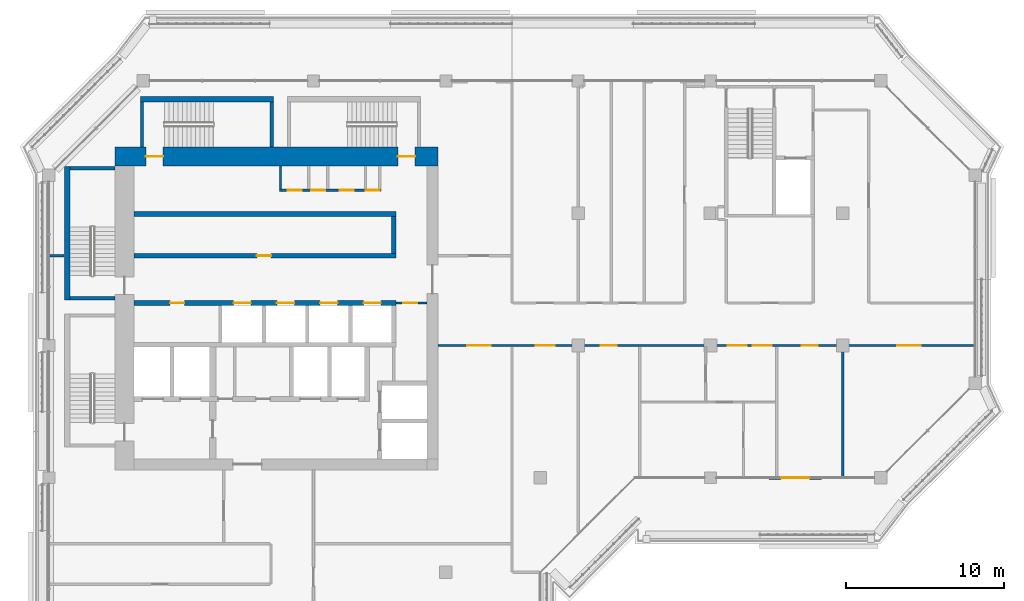
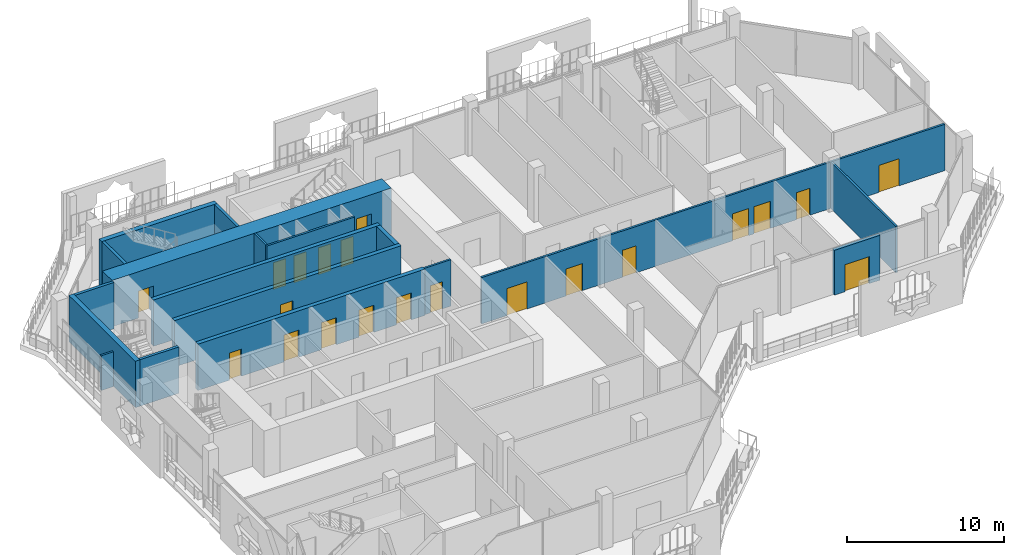
# One storey, part 12 of 22: 21 doors, 18 walls, 21 openings.
"""IFC4 building model written with IfcOpenShell, lengths in metres."""

from ifc_helpers import new_model, si_unit, direction, frame, frame_2d, origin, place, context, subcontext, project, spatial, rectangle, extrude, material, layer, layer_set, type_object, element, fill, save


model = new_model("IFC4")

# Units and contexts
model_context = context("Model", 3, precision=1e-05, world=origin(), true_north=direction((0.0, 1.0)))
body_context = subcontext(model_context, "Body", "Model", "MODEL_VIEW")
ifc_project = project(units=[si_unit("LENGTHUNIT", "METRE"), si_unit("AREAUNIT", "SQUARE_METRE"), si_unit("VOLUMEUNIT", "CUBIC_METRE"), si_unit("PLANEANGLEUNIT", "RADIAN"), si_unit("MASSUNIT", "GRAM", prefix="KILO")], contexts=[model_context])

# Site, building, storey
site_placement = place(None, origin())
site = spatial("IfcSite", under=ifc_project, at=site_placement, CompositionType="ELEMENT")
building_placement = place(site_placement, origin())
building = spatial("IfcBuilding", under=site, at=building_placement, Name="Kawkab Arch Medical Tower", CompositionType="ELEMENT")
storey_placement = place(building_placement, frame((0.0, 0.0, 298.60009765625)))
storey = spatial("IfcBuildingStorey", under=building, at=storey_placement, Name="L69", CompositionType="ELEMENT", Elevation=298.60009765625)

# Wall, openings, doors
ifc_material_1 = material(Name="Concrete C50/60", Category="concrete")
ifc_layer_1 = layer(ifc_material_1, 1.199951171875)
ifc_layer_set_1 = layer_set([ifc_layer_1], Name="Concrete C50/60")
wall_type_1 = type_object("IfcWallType", Name="Core ring wall 1200 C50/60", PredefinedType="SHEAR", material=ifc_layer_set_1)
wall_1_placement = place(storey_placement, frame((4.199951171875, -4.800048828125, 0.0), z_axis=(0.0, 0.0, 1.0), x_axis=(1.0, 0.0, 0.0)))
wall_1 = element("IfcWall", 1, at=wall_1_placement, inside=storey, type_object=wall_type_1, Name="L69 core wall", PredefinedType="SHEAR", context=body_context, shape_type="SweptSolid", body=[
    extrude(rectangle(XDim=20.5, YDim=1.199951171875, at=frame_2d((10.25, 0.0))), origin(), (0.0, 0.0, 1.0), 3.599853515625),
])
opening_1_placement = place(wall_1_placement, frame((1.949951171875, 0.0, 0.0)))
opening_1 = element("IfcOpeningElement", 2, at=opening_1_placement, cuts=wall_1, Name="Opening SD", PredefinedType="OPENING", context=body_context, shape_type="SweptSolid", body=[
    extrude(rectangle(XDim=1.10009765625, YDim=2.10009765625, at=frame_2d((0.550048828125, 1.050048828125))), frame((0.0, 0.60986328125, 0.0), z_axis=(0.0, -1.0, 0.0), x_axis=(1.0, 0.0, 0.0)), (0.0, 0.0, 1.0), 1.219970703125),
])
opening_2_placement = place(wall_1_placement, frame((17.949951171875, 0.0, 0.0)))
opening_2 = element("IfcOpeningElement", 3, at=opening_2_placement, cuts=wall_1, Name="Opening SD", PredefinedType="OPENING", context=body_context, shape_type="SweptSolid", body=[
    extrude(rectangle(XDim=1.10009765625, YDim=2.10009765625, at=frame_2d((0.550048828125, 1.050048828125))), frame((0.0, 0.60986328125, 0.0), z_axis=(0.0, -1.0, 0.0), x_axis=(1.0, 0.0, 0.0)), (0.0, 0.0, 1.0), 1.219970703125),
])
ifc_material_2 = material(Name="Hollow metal fire door leaf")
door_type_1 = type_object("IfcDoorType", Name="Exit stair door 1100", OperationType="SINGLE_SWING_LEFT", PredefinedType="DOOR", material=ifc_material_2)
door_1_placement = place(opening_1_placement, origin())
door_1 = element("IfcDoor", 4, at=door_1_placement, inside=storey, type_object=door_type_1, Name="L69 Exit stair ST3 door", OperationType="SINGLE_SWING_LEFT", OverallHeight=2.10009765625, OverallWidth=1.10009765625, PredefinedType="DOOR", context=body_context, shape_type="SweptSolid", body=[
    extrude(rectangle(XDim=1.10009765625, YDim=2.10009765625, at=frame_2d((0.550048828125, 1.050048828125))), frame((0.0, 0.02490234375, 0.0), z_axis=(0.0, -1.0, 0.0), x_axis=(1.0, 0.0, 0.0)), (0.0, 0.0, 1.0), 0.050048828125),
])
fill(opening_1, door_1)
door_2_placement = place(opening_2_placement, origin())
door_2 = element("IfcDoor", 5, at=door_2_placement, inside=storey, type_object=door_type_1, Name="L69 Exit stair ST4 door", OperationType="SINGLE_SWING_LEFT", OverallHeight=2.10009765625, OverallWidth=1.10009765625, PredefinedType="DOOR", context=body_context, shape_type="SweptSolid", body=[
    extrude(rectangle(XDim=1.10009765625, YDim=2.10009765625, at=frame_2d((0.550048828125, 1.050048828125))), frame((0.0, 0.02490234375, 0.0), z_axis=(0.0, -1.0, 0.0), x_axis=(1.0, 0.0, 0.0)), (0.0, 0.0, 1.0), 0.050048828125),
])
fill(opening_2, door_2)

# Wall, opening, door
ifc_material_3 = material(Name="Gypsum board on steel studs", Category="steel")
ifc_layer_2 = layer(ifc_material_3, 0.14990234375)
ifc_layer_set_2 = layer_set([ifc_layer_2], Name="Gypsum board on steel studs")
wall_type_2 = type_object("IfcWallType", Name="Core room partition 150", PredefinedType="PARTITIONING", material=ifc_layer_set_2)
wall_2_placement = place(storey_placement, frame((22.050048828125, -14.10009765625, 0.0), z_axis=(0.0, 0.0, 1.0), x_axis=(1.0, 0.0, 0.0)))
wall_2 = element("IfcWall", 6, at=wall_2_placement, inside=storey, type_object=wall_type_2, Name="L69 core room partition", PredefinedType="PARTITIONING", context=body_context, shape_type="SweptSolid", body=[
    extrude(rectangle(XDim=1.949951171875, YDim=0.14990234375, at=frame_2d((0.97509765625, 0.0))), origin(), (0.0, 0.0, 1.0), 3.599853515625),
])
opening_3_placement = place(wall_2_placement, frame((0.449951171875, 0.0, 0.0)))
opening_3 = element("IfcOpeningElement", 7, at=opening_3_placement, cuts=wall_2, Name="Opening RD", PredefinedType="OPENING", context=body_context, shape_type="SweptSolid", body=[
    extrude(rectangle(XDim=0.89990234375, YDim=2.10009765625, at=frame_2d((0.449951171875, 1.050048828125))), frame((0.0, 0.0849609375, 0.0), z_axis=(0.0, -1.0, 0.0), x_axis=(1.0, 0.0, 0.0)), (0.0, 0.0, 1.0), 0.169921875),
])
ifc_material_4 = material(Name="Hollow metal fire door leaf")
door_type_2 = type_object("IfcDoorType", Name="Core room door 900", OperationType="SINGLE_SWING_LEFT", PredefinedType="DOOR", material=ifc_material_4)
door_3_placement = place(opening_3_placement, origin())
door_3 = element("IfcDoor", 8, at=door_3_placement, inside=storey, type_object=door_type_2, Name="L69 Ward pantry door", OperationType="SINGLE_SWING_LEFT", OverallHeight=2.10009765625, OverallWidth=0.89990234375, PredefinedType="DOOR", context=body_context, shape_type="SweptSolid", body=[
    extrude(rectangle(XDim=0.89990234375, YDim=2.10009765625, at=frame_2d((0.449951171875, 1.050048828125))), frame((0.0, 0.02490234375, 0.0), z_axis=(0.0, -1.0, 0.0), x_axis=(1.0, 0.0, 0.0)), (0.0, 0.0, 1.0), 0.050048828125),
])
fill(opening_3, door_3)

# Wall, openings, doors
wall_3_placement = place(storey_placement, frame((14.625, -6.949951171875, 0.0), z_axis=(0.0, 0.0, 1.0), x_axis=(1.0, 0.0, 0.0)))
wall_3 = element("IfcWall", 9, at=wall_3_placement, inside=storey, type_object=wall_type_2, Name="L69 core room partition", PredefinedType="PARTITIONING", context=body_context, shape_type="SweptSolid", body=[
    extrude(rectangle(XDim=6.449951171875, YDim=0.14990234375, at=frame_2d((3.22509765625, 0.0))), origin(), (0.0, 0.0, 1.0), 3.599853515625),
])
opening_4_placement = place(wall_3_placement, frame((0.52490234375, 0.0, 0.0)))
opening_4 = element("IfcOpeningElement", 10, at=opening_4_placement, cuts=wall_3, Name="Opening RD", PredefinedType="OPENING", context=body_context, shape_type="SweptSolid", body=[
    extrude(rectangle(XDim=0.89990234375, YDim=2.10009765625, at=frame_2d((0.449951171875, 1.050048828125))), frame((0.0, 0.0849609375, 0.0), z_axis=(0.0, -1.0, 0.0), x_axis=(1.0, 0.0, 0.0)), (0.0, 0.0, 1.0), 0.169921875),
])
opening_5_placement = place(wall_3_placement, frame((2.02490234375, 0.0, 0.0)))
opening_5 = element("IfcOpeningElement", 11, at=opening_5_placement, cuts=wall_3, Name="Opening RD", PredefinedType="OPENING", context=body_context, shape_type="SweptSolid", body=[
    extrude(rectangle(XDim=0.89990234375, YDim=2.10009765625, at=frame_2d((0.449951171875, 1.050048828125))), frame((0.0, 0.0849609375, 0.0), z_axis=(0.0, -1.0, 0.0), x_axis=(1.0, 0.0, 0.0)), (0.0, 0.0, 1.0), 0.169921875),
])
opening_6_placement = place(wall_3_placement, frame((3.824951171875, 0.0, 0.0)))
opening_6 = element("IfcOpeningElement", 12, at=opening_6_placement, cuts=wall_3, Name="Opening RD", PredefinedType="OPENING", context=body_context, shape_type="SweptSolid", body=[
    extrude(rectangle(XDim=0.89990234375, YDim=2.10009765625, at=frame_2d((0.449951171875, 1.050048828125))), frame((0.0, 0.0849609375, 0.0), z_axis=(0.0, -1.0, 0.0), x_axis=(1.0, 0.0, 0.0)), (0.0, 0.0, 1.0), 0.169921875),
])
opening_7_placement = place(wall_3_placement, frame((5.47509765625, 0.0, 0.0)))
opening_7 = element("IfcOpeningElement", 13, at=opening_7_placement, cuts=wall_3, Name="Opening RD", PredefinedType="OPENING", context=body_context, shape_type="SweptSolid", body=[
    extrude(rectangle(XDim=0.89990234375, YDim=2.10009765625, at=frame_2d((0.449951171875, 1.050048828125))), frame((0.0, 0.0849609375, 0.0), z_axis=(0.0, -1.0, 0.0), x_axis=(1.0, 0.0, 0.0)), (0.0, 0.0, 1.0), 0.169921875),
])
door_4_placement = place(opening_4_placement, origin())
door_4 = element("IfcDoor", 14, at=door_4_placement, inside=storey, type_object=door_type_2, Name="L69 Data room door", OperationType="SINGLE_SWING_LEFT", OverallHeight=2.10009765625, OverallWidth=0.89990234375, PredefinedType="DOOR", context=body_context, shape_type="SweptSolid", body=[
    extrude(rectangle(XDim=0.89990234375, YDim=2.10009765625, at=frame_2d((0.449951171875, 1.050048828125))), frame((0.0, 0.02490234375, 0.0), z_axis=(0.0, -1.0, 0.0), x_axis=(1.0, 0.0, 0.0)), (0.0, 0.0, 1.0), 0.050048828125),
])
fill(opening_4, door_4)
door_5_placement = place(opening_5_placement, origin())
door_5 = element("IfcDoor", 15, at=door_5_placement, inside=storey, type_object=door_type_2, Name="L69 Electrical riser room door", OperationType="SINGLE_SWING_LEFT", OverallHeight=2.10009765625, OverallWidth=0.89990234375, PredefinedType="DOOR", context=body_context, shape_type="SweptSolid", body=[
    extrude(rectangle(XDim=0.89990234375, YDim=2.10009765625, at=frame_2d((0.449951171875, 1.050048828125))), frame((0.0, 0.02490234375, 0.0), z_axis=(0.0, -1.0, 0.0), x_axis=(1.0, 0.0, 0.0)), (0.0, 0.0, 1.0), 0.050048828125),
])
fill(opening_5, door_5)
door_6_placement = place(opening_6_placement, origin())
door_6 = element("IfcDoor", 16, at=door_6_placement, inside=storey, type_object=door_type_2, Name="L69 Equipment store door", OperationType="SINGLE_SWING_LEFT", OverallHeight=2.10009765625, OverallWidth=0.89990234375, PredefinedType="DOOR", context=body_context, shape_type="SweptSolid", body=[
    extrude(rectangle(XDim=0.89990234375, YDim=2.10009765625, at=frame_2d((0.449951171875, 1.050048828125))), frame((0.0, 0.02490234375, 0.0), z_axis=(0.0, -1.0, 0.0), x_axis=(1.0, 0.0, 0.0)), (0.0, 0.0, 1.0), 0.050048828125),
])
fill(opening_6, door_6)
door_7_placement = place(opening_7_placement, origin())
door_7 = element("IfcDoor", 17, at=door_7_placement, inside=storey, type_object=door_type_2, Name="L69 General store door", OperationType="SINGLE_SWING_LEFT", OverallHeight=2.10009765625, OverallWidth=0.89990234375, PredefinedType="DOOR", context=body_context, shape_type="SweptSolid", body=[
    extrude(rectangle(XDim=0.89990234375, YDim=2.10009765625, at=frame_2d((0.449951171875, 1.050048828125))), frame((0.0, 0.02490234375, 0.0), z_axis=(0.0, -1.0, 0.0), x_axis=(1.0, 0.0, 0.0)), (0.0, 0.0, 1.0), 0.050048828125),
])
fill(opening_7, door_7)

# Walls
wall_4_placement = place(storey_placement, frame((14.699951171875, -6.875, 0.0), z_axis=(0.0, 0.0, 1.0), x_axis=(0.0, 1.0, 0.0)))
element("IfcWall", 18, at=wall_4_placement, inside=storey, type_object=wall_type_2, Name="L69 core room partition", PredefinedType="PARTITIONING", context=body_context, shape_type="SweptSolid", body=[
    extrude(rectangle(XDim=1.47509765625, YDim=0.14990234375, at=frame_2d((0.737548828125, 0.0))), origin(), (0.0, 0.0, 1.0), 3.599853515625),
])
ifc_material_5 = material(Name="Concrete C60/75", Category="concrete")
ifc_layer_3 = layer(ifc_material_5, 0.300048828125)
ifc_layer_set_3 = layer_set([ifc_layer_3], Name="Concrete C60/75")
wall_type_3 = type_object("IfcWallType", Name="Core shear wall 300 C60/75", PredefinedType="SHEAR", material=ifc_layer_set_3)
wall_5_placement = place(storey_placement, frame((5.39990234375, -8.449951171875, 0.0), z_axis=(0.0, 0.0, 1.0), x_axis=(1.0, 0.0, 0.0)))
element("IfcWall", 19, at=wall_5_placement, inside=storey, type_object=wall_type_3, Name="L69 core shear wall", PredefinedType="SHEAR", context=body_context, shape_type="SweptSolid", body=[
    extrude(rectangle(XDim=16.650146484375, YDim=0.300048828125, at=frame_2d((8.3251953125, 0.0))), origin(), (0.0, 0.0, 1.0), 3.599853515625),
])

# Wall, opening, door
wall_6_placement = place(storey_placement, frame((5.39990234375, -11.10009765625, 0.0), z_axis=(0.0, 0.0, 1.0), x_axis=(1.0, 0.0, 0.0)))
wall_6 = element("IfcWall", 20, at=wall_6_placement, inside=storey, type_object=wall_type_3, Name="L69 core shear wall", PredefinedType="SHEAR", context=body_context, shape_type="SweptSolid", body=[
    extrude(rectangle(XDim=16.650146484375, YDim=0.300048828125, at=frame_2d((8.3251953125, 0.0))), origin(), (0.0, 0.0, 1.0), 3.599853515625),
])
opening_8_placement = place(wall_6_placement, frame((7.800048828125, 0.0, 0.0)))
opening_8 = element("IfcOpeningElement", 21, at=opening_8_placement, cuts=wall_6, Name="Opening RD", PredefinedType="OPENING", context=body_context, shape_type="SweptSolid", body=[
    extrude(rectangle(XDim=0.89990234375, YDim=2.10009765625, at=frame_2d((0.449951171875, 1.050048828125))), frame((0.0, 0.159912109375, 0.0), z_axis=(0.0, -1.0, 0.0), x_axis=(1.0, 0.0, 0.0)), (0.0, 0.0, 1.0), 0.320068359375),
])
door_8_placement = place(opening_8_placement, origin())
door_8 = element("IfcDoor", 22, at=door_8_placement, inside=storey, type_object=door_type_2, Name="L69 General store door", OperationType="SINGLE_SWING_LEFT", OverallHeight=2.10009765625, OverallWidth=0.89990234375, PredefinedType="DOOR", context=body_context, shape_type="SweptSolid", body=[
    extrude(rectangle(XDim=0.89990234375, YDim=2.10009765625, at=frame_2d((0.449951171875, 1.050048828125))), frame((0.0, 0.02490234375, 0.0), z_axis=(0.0, -1.0, 0.0), x_axis=(1.0, 0.0, 0.0)), (0.0, 0.0, 1.0), 0.050048828125),
])
fill(opening_8, door_8)

# Wall, openings, doors
wall_7_placement = place(storey_placement, frame((5.39990234375, -14.10009765625, 0.0), z_axis=(0.0, 0.0, 1.0), x_axis=(1.0, 0.0, 0.0)))
wall_7 = element("IfcWall", 23, at=wall_7_placement, inside=storey, type_object=wall_type_3, Name="L69 core shear wall", PredefinedType="SHEAR", context=body_context, shape_type="SweptSolid", body=[
    extrude(rectangle(XDim=16.650146484375, YDim=0.300048828125, at=frame_2d((8.3251953125, 0.0))), origin(), (0.0, 0.0, 1.0), 3.599853515625),
])
opening_9_placement = place(wall_7_placement, frame((6.324951171875, 0.0, 0.0)))
opening_9 = element("IfcOpeningElement", 24, at=opening_9_placement, cuts=wall_7, Name="Opening LD1", PredefinedType="OPENING", context=body_context, shape_type="SweptSolid", body=[
    extrude(rectangle(XDim=1.10009765625, YDim=2.10009765625, at=frame_2d((0.550048828125, 1.050048828125))), frame((0.0, 0.159912109375, 0.0), z_axis=(0.0, -1.0, 0.0), x_axis=(1.0, 0.0, 0.0)), (0.0, 0.0, 1.0), 0.320068359375),
])
opening_10_placement = place(wall_7_placement, frame((9.074951171875, 0.0, 0.0)))
opening_10 = element("IfcOpeningElement", 25, at=opening_10_placement, cuts=wall_7, Name="Opening LD1", PredefinedType="OPENING", context=body_context, shape_type="SweptSolid", body=[
    extrude(rectangle(XDim=1.10009765625, YDim=2.10009765625, at=frame_2d((0.550048828125, 1.050048828125))), frame((0.0, 0.159912109375, 0.0), z_axis=(0.0, -1.0, 0.0), x_axis=(1.0, 0.0, 0.0)), (0.0, 0.0, 1.0), 0.320068359375),
])
opening_11_placement = place(wall_7_placement, frame((11.824951171875, 0.0, 0.0)))
opening_11 = element("IfcOpeningElement", 26, at=opening_11_placement, cuts=wall_7, Name="Opening LD1", PredefinedType="OPENING", context=body_context, shape_type="SweptSolid", body=[
    extrude(rectangle(XDim=1.10009765625, YDim=2.10009765625, at=frame_2d((0.550048828125, 1.050048828125))), frame((0.0, 0.159912109375, 0.0), z_axis=(0.0, -1.0, 0.0), x_axis=(1.0, 0.0, 0.0)), (0.0, 0.0, 1.0), 0.320068359375),
])
opening_12_placement = place(wall_7_placement, frame((14.574951171875, 0.0, 0.0)))
opening_12 = element("IfcOpeningElement", 27, at=opening_12_placement, cuts=wall_7, Name="Opening LD1", PredefinedType="OPENING", context=body_context, shape_type="SweptSolid", body=[
    extrude(rectangle(XDim=1.10009765625, YDim=2.10009765625, at=frame_2d((0.550048828125, 1.050048828125))), frame((0.0, 0.159912109375, 0.0), z_axis=(0.0, -1.0, 0.0), x_axis=(1.0, 0.0, 0.0)), (0.0, 0.0, 1.0), 0.320068359375),
])
opening_13_placement = place(wall_7_placement, frame((2.300048828125, 0.0, 0.0)))
opening_13 = element("IfcOpeningElement", 28, at=opening_13_placement, cuts=wall_7, Name="Opening RD", PredefinedType="OPENING", context=body_context, shape_type="SweptSolid", body=[
    extrude(rectangle(XDim=0.89990234375, YDim=2.10009765625, at=frame_2d((0.449951171875, 1.050048828125))), frame((0.0, 0.159912109375, 0.0), z_axis=(0.0, -1.0, 0.0), x_axis=(1.0, 0.0, 0.0)), (0.0, 0.0, 1.0), 0.320068359375),
])
door_9_placement = place(opening_13_placement, origin())
door_9 = element("IfcDoor", 29, at=door_9_placement, inside=storey, type_object=door_type_2, Name="L69 Medication store door", OperationType="SINGLE_SWING_LEFT", OverallHeight=2.10009765625, OverallWidth=0.89990234375, PredefinedType="DOOR", context=body_context, shape_type="SweptSolid", body=[
    extrude(rectangle(XDim=0.89990234375, YDim=2.10009765625, at=frame_2d((0.449951171875, 1.050048828125))), frame((0.0, 0.02490234375, 0.0), z_axis=(0.0, -1.0, 0.0), x_axis=(1.0, 0.0, 0.0)), (0.0, 0.0, 1.0), 0.050048828125),
])
fill(opening_13, door_9)
ifc_material_6 = material(Name="Stainless steel lift door leaf", Category="steel")
door_type_3 = type_object("IfcDoorType", Name="Lift landing door 1100", OperationType="DOUBLE_DOOR_SLIDING", PredefinedType="DOOR", material=ifc_material_6)
door_10_placement = place(opening_9_placement, origin())
door_10 = element("IfcDoor", 30, at=door_10_placement, inside=storey, type_object=door_type_3, Name="L69 Lift landing door HP1", OperationType="DOUBLE_DOOR_SLIDING", OverallHeight=2.10009765625, OverallWidth=1.10009765625, PredefinedType="DOOR", context=body_context, shape_type="SweptSolid", body=[
    extrude(rectangle(XDim=1.10009765625, YDim=2.10009765625, at=frame_2d((0.550048828125, 1.050048828125))), frame((0.0, 0.02490234375, 0.0), z_axis=(0.0, -1.0, 0.0), x_axis=(1.0, 0.0, 0.0)), (0.0, 0.0, 1.0), 0.050048828125),
])
fill(opening_9, door_10)
door_11_placement = place(opening_10_placement, origin())
door_11 = element("IfcDoor", 31, at=door_11_placement, inside=storey, type_object=door_type_3, Name="L69 Lift landing door HP2", OperationType="DOUBLE_DOOR_SLIDING", OverallHeight=2.10009765625, OverallWidth=1.10009765625, PredefinedType="DOOR", context=body_context, shape_type="SweptSolid", body=[
    extrude(rectangle(XDim=1.10009765625, YDim=2.10009765625, at=frame_2d((0.550048828125, 1.050048828125))), frame((0.0, 0.02490234375, 0.0), z_axis=(0.0, -1.0, 0.0), x_axis=(1.0, 0.0, 0.0)), (0.0, 0.0, 1.0), 0.050048828125),
])
fill(opening_10, door_11)
door_12_placement = place(opening_11_placement, origin())
door_12 = element("IfcDoor", 32, at=door_12_placement, inside=storey, type_object=door_type_3, Name="L69 Lift landing door HP3", OperationType="DOUBLE_DOOR_SLIDING", OverallHeight=2.10009765625, OverallWidth=1.10009765625, PredefinedType="DOOR", context=body_context, shape_type="SweptSolid", body=[
    extrude(rectangle(XDim=1.10009765625, YDim=2.10009765625, at=frame_2d((0.550048828125, 1.050048828125))), frame((0.0, 0.02490234375, 0.0), z_axis=(0.0, -1.0, 0.0), x_axis=(1.0, 0.0, 0.0)), (0.0, 0.0, 1.0), 0.050048828125),
])
fill(opening_11, door_12)
door_13_placement = place(opening_12_placement, origin())
door_13 = element("IfcDoor", 33, at=door_13_placement, inside=storey, type_object=door_type_3, Name="L69 Lift landing door HP4", OperationType="DOUBLE_DOOR_SLIDING", OverallHeight=2.10009765625, OverallWidth=1.10009765625, PredefinedType="DOOR", context=body_context, shape_type="SweptSolid", body=[
    extrude(rectangle(XDim=1.10009765625, YDim=2.10009765625, at=frame_2d((0.550048828125, 1.050048828125))), frame((0.0, 0.02490234375, 0.0), z_axis=(0.0, -1.0, 0.0), x_axis=(1.0, 0.0, 0.0)), (0.0, 0.0, 1.0), 0.050048828125),
])
fill(opening_12, door_13)

# Wall
wall_8_placement = place(storey_placement, frame((21.89990234375, -10.949951171875, 0.0), z_axis=(0.0, 0.0, 1.0), x_axis=(0.0, 1.0, 0.0)))
element("IfcWall", 34, at=wall_8_placement, inside=storey, type_object=wall_type_3, Name="L69 core shear wall", PredefinedType="SHEAR", context=body_context, shape_type="SweptSolid", body=[
    extrude(rectangle(XDim=2.349853515625, YDim=0.300048828125, at=frame_2d((1.1748046875, 0.0))), origin(), (0.0, 0.0, 1.0), 3.599853515625),
])

# Wall, opening, door
ifc_material_7 = material(Name="Bronze clad insulated wall panel")
ifc_layer_4 = layer(ifc_material_7, 0.25)
ifc_layer_set_4 = layer_set([ifc_layer_4], Name="Bronze clad insulated wall panel")
wall_type_4 = type_object("IfcWallType", Name="External wall bay 250", PredefinedType="SOLIDWALL", material=ifc_layer_set_4)
wall_9_placement = place(storey_placement, frame((45.716552734375, -25.199951171875, 0.0), z_axis=(0.0, 0.0, 1.0), x_axis=(1.0, 0.0, 0.0)))
wall_9 = element("IfcWall", 35, at=wall_9_placement, inside=storey, type_object=wall_type_4, Name="External wall bay L69.R11.2.2", PredefinedType="SOLIDWALL", context=body_context, shape_type="SweptSolid", body=[
    extrude(rectangle(XDim=3.341796875, YDim=0.25, at=frame_2d((1.6708984375, 0.0))), origin(), (0.0, 0.0, 1.0), 3.47998046875),
])
opening_14_placement = place(wall_9_placement, frame((0.770751953125, 0.0, 0.0)))
opening_14 = element("IfcOpeningElement", 36, at=opening_14_placement, cuts=wall_9, Name="Opening W69-701", PredefinedType="OPENING", context=body_context, shape_type="SweptSolid", body=[
    extrude(rectangle(XDim=1.800048828125, YDim=2.10009765625, at=frame_2d((0.89990234375, 1.050048828125))), frame((0.0, 0.135009765625, 0.0), z_axis=(0.0, -1.0, 0.0), x_axis=(1.0, 0.0, 0.0)), (0.0, 0.0, 1.0), 0.27001953125),
])
ifc_material_8 = material(Name="Bronze anodised aluminium door with tinted glass", Category="aluminium")
door_type_4 = type_object("IfcDoorType", Name="Double external door 1800 x 2100", OperationType="DOUBLE_DOOR_SINGLE_SWING", PredefinedType="DOOR", material=ifc_material_8)
door_14_placement = place(opening_14_placement, origin())
door_14 = element("IfcDoor", 37, at=door_14_placement, inside=storey, type_object=door_type_4, Name="External door L69.R11.2.2", OperationType="DOUBLE_DOOR_SINGLE_SWING", OverallHeight=2.10009765625, OverallWidth=1.800048828125, PredefinedType="DOOR", context=body_context, shape_type="SweptSolid", body=[
    extrude(rectangle(XDim=1.800048828125, YDim=2.10009765625, at=frame_2d((0.89990234375, 1.050048828125))), frame((0.0, 0.02490234375, 0.0), z_axis=(0.0, -1.0, 0.0), x_axis=(1.0, 0.0, 0.0)), (0.0, 0.0, 1.0), 0.050048828125),
])
fill(opening_14, door_14)

# Wall, openings, doors
ifc_material_9 = material(Name="Gypsum board partition on steel studs, mineral wool", Category="steel")
ifc_layer_5 = layer(ifc_material_9, 0.14990234375)
ifc_layer_set_5 = layer_set([ifc_layer_5], Name="Gypsum board partition on steel studs, mineral wool")
wall_type_5 = type_object("IfcWallType", Name="Partition 150", PredefinedType="PARTITIONING", material=ifc_layer_set_5)
wall_10_placement = place(storey_placement, frame((24.699951171875, -16.800048828125, 0.0), z_axis=(0.0, 0.0, 1.0), x_axis=(1.0, 0.0, 0.0)))
wall_10 = element("IfcWall", 38, at=wall_10_placement, inside=storey, type_object=wall_type_5, Name="Partition 150 w012", PredefinedType="PARTITIONING", context=body_context, shape_type="SweptSolid", body=[
    extrude(rectangle(XDim=34.02001953125, YDim=0.14990234375, at=frame_2d((17.010009765625, 0.0))), origin(), (0.0, 0.0, 1.0), 3.599853515625),
])
opening_15_placement = place(wall_10_placement, frame((1.85009765625, 0.0, 0.0)))
opening_15 = element("IfcOpeningElement", 39, at=opening_15_placement, cuts=wall_10, Name="Opening W69-001", PredefinedType="OPENING", context=body_context, shape_type="SweptSolid", body=[
    extrude(rectangle(XDim=1.5, YDim=2.10009765625, at=frame_2d((0.75, 1.050048828125))), frame((0.0, 0.0849609375, 0.0), z_axis=(0.0, -1.0, 0.0), x_axis=(1.0, 0.0, 0.0)), (0.0, 0.0, 1.0), 0.169921875),
])
opening_16_placement = place(wall_10_placement, frame((6.199951171875, 0.0, 0.0)))
opening_16 = element("IfcOpeningElement", 40, at=opening_16_placement, cuts=wall_10, Name="Opening W69-019", PredefinedType="OPENING", context=body_context, shape_type="SweptSolid", body=[
    extrude(rectangle(XDim=1.199951171875, YDim=2.10009765625, at=frame_2d((0.60009765625, 1.050048828125))), frame((0.0, 0.0849609375, 0.0), z_axis=(0.0, -1.0, 0.0), x_axis=(1.0, 0.0, 0.0)), (0.0, 0.0, 1.0), 0.169921875),
])
opening_17_placement = place(wall_10_placement, frame((10.35009765625, 0.0, 0.0)))
opening_17 = element("IfcOpeningElement", 41, at=opening_17_placement, cuts=wall_10, Name="Opening W69-012", PredefinedType="OPENING", context=body_context, shape_type="SweptSolid", body=[
    extrude(rectangle(XDim=1.0, YDim=2.10009765625, at=frame_2d((0.5, 1.050048828125))), frame((0.0, 0.0849609375, 0.0), z_axis=(0.0, -1.0, 0.0), x_axis=(1.0, 0.0, 0.0)), (0.0, 0.0, 1.0), 0.169921875),
])
opening_18_placement = place(wall_10_placement, frame((20.0, 0.0, 0.0)))
opening_18 = element("IfcOpeningElement", 42, at=opening_18_placement, cuts=wall_10, Name="Opening W69-020", PredefinedType="OPENING", context=body_context, shape_type="SweptSolid", body=[
    extrude(rectangle(XDim=1.199951171875, YDim=2.10009765625, at=frame_2d((0.60009765625, 1.050048828125))), frame((0.0, 0.0849609375, 0.0), z_axis=(0.0, -1.0, 0.0), x_axis=(1.0, 0.0, 0.0)), (0.0, 0.0, 1.0), 0.169921875),
])
opening_19_placement = place(wall_10_placement, frame((18.39990234375, 0.0, 0.0)))
opening_19 = element("IfcOpeningElement", 43, at=opening_19_placement, cuts=wall_10, Name="Opening W69-021", PredefinedType="OPENING", context=body_context, shape_type="SweptSolid", body=[
    extrude(rectangle(XDim=1.199951171875, YDim=2.10009765625, at=frame_2d((0.60009765625, 1.050048828125))), frame((0.0, 0.0849609375, 0.0), z_axis=(0.0, -1.0, 0.0), x_axis=(1.0, 0.0, 0.0)), (0.0, 0.0, 1.0), 0.169921875),
])
opening_20_placement = place(wall_10_placement, frame((23.10009765625, 0.0, 0.0)))
opening_20 = element("IfcOpeningElement", 44, at=opening_20_placement, cuts=wall_10, Name="Opening W69-013", PredefinedType="OPENING", context=body_context, shape_type="SweptSolid", body=[
    extrude(rectangle(XDim=1.0, YDim=2.10009765625, at=frame_2d((0.5, 1.050048828125))), frame((0.0, 0.0849609375, 0.0), z_axis=(0.0, -1.0, 0.0), x_axis=(1.0, 0.0, 0.0)), (0.0, 0.0, 1.0), 0.169921875),
])
opening_21_placement = place(wall_10_placement, frame((29.14990234375, 0.0, 0.0)))
opening_21 = element("IfcOpeningElement", 45, at=opening_21_placement, cuts=wall_10, Name="Opening W69-003", PredefinedType="OPENING", context=body_context, shape_type="SweptSolid", body=[
    extrude(rectangle(XDim=1.5, YDim=2.10009765625, at=frame_2d((0.75, 1.050048828125))), frame((0.0, 0.0849609375, 0.0), z_axis=(0.0, -1.0, 0.0), x_axis=(1.0, 0.0, 0.0)), (0.0, 0.0, 1.0), 0.169921875),
])
ifc_material_10 = material(Name="Hollow metal door leaf")
door_type_5 = type_object("IfcDoorType", Name="Double door 1500x2100 FD30S", OperationType="NOTDEFINED", PredefinedType="DOOR", material=ifc_material_10)
door_15_placement = place(opening_15_placement, origin())
door_15 = element("IfcDoor", 46, at=door_15_placement, inside=storey, type_object=door_type_5, Name="Door W69-001", OperationType="DOUBLE_DOOR_SINGLE_SWING", OverallHeight=2.10009765625, OverallWidth=1.5, PredefinedType="DOOR", context=body_context, shape_type="SweptSolid", body=[
    extrude(rectangle(XDim=1.5, YDim=2.10009765625, at=frame_2d((0.75, 1.050048828125))), frame((0.0, 0.02490234375, 0.0), z_axis=(0.0, -1.0, 0.0), x_axis=(1.0, 0.0, 0.0)), (0.0, 0.0, 1.0), 0.050048828125),
])
fill(opening_15, door_15)
door_16_placement = place(opening_21_placement, origin())
door_16 = element("IfcDoor", 47, at=door_16_placement, inside=storey, type_object=door_type_5, Name="Door W69-003", OperationType="DOUBLE_DOOR_SINGLE_SWING", OverallHeight=2.10009765625, OverallWidth=1.5, PredefinedType="DOOR", context=body_context, shape_type="SweptSolid", body=[
    extrude(rectangle(XDim=1.5, YDim=2.10009765625, at=frame_2d((0.75, 1.050048828125))), frame((0.0, 0.02490234375, 0.0), z_axis=(0.0, -1.0, 0.0), x_axis=(1.0, 0.0, 0.0)), (0.0, 0.0, 1.0), 0.050048828125),
])
fill(opening_21, door_16)
ifc_material_11 = material(Name="Hollow metal door leaf")
door_type_6 = type_object("IfcDoorType", Name="Single door 1000x2100 FD30S", OperationType="NOTDEFINED", PredefinedType="DOOR", material=ifc_material_11)
door_17_placement = place(opening_17_placement, origin())
door_17 = element("IfcDoor", 48, at=door_17_placement, inside=storey, type_object=door_type_6, Name="Door W69-012", OperationType="SINGLE_SWING_RIGHT", OverallHeight=2.10009765625, OverallWidth=1.0, PredefinedType="DOOR", context=body_context, shape_type="SweptSolid", body=[
    extrude(rectangle(XDim=1.0, YDim=2.10009765625, at=frame_2d((0.5, 1.050048828125))), frame((0.0, 0.02490234375, 0.0), z_axis=(0.0, -1.0, 0.0), x_axis=(1.0, 0.0, 0.0)), (0.0, 0.0, 1.0), 0.050048828125),
])
fill(opening_17, door_17)
door_18_placement = place(opening_20_placement, origin())
door_18 = element("IfcDoor", 49, at=door_18_placement, inside=storey, type_object=door_type_6, Name="Door W69-013", OperationType="SINGLE_SWING_LEFT", OverallHeight=2.10009765625, OverallWidth=1.0, PredefinedType="DOOR", context=body_context, shape_type="SweptSolid", body=[
    extrude(rectangle(XDim=1.0, YDim=2.10009765625, at=frame_2d((0.5, 1.050048828125))), frame((0.0, 0.02490234375, 0.0), z_axis=(0.0, -1.0, 0.0), x_axis=(1.0, 0.0, 0.0)), (0.0, 0.0, 1.0), 0.050048828125),
])
fill(opening_20, door_18)
ifc_material_12 = material(Name="Hollow metal door leaf")
door_type_7 = type_object("IfcDoorType", Name="Single door 1200x2100 FD30S", OperationType="NOTDEFINED", PredefinedType="DOOR", material=ifc_material_12)
door_19_placement = place(opening_16_placement, origin())
door_19 = element("IfcDoor", 50, at=door_19_placement, inside=storey, type_object=door_type_7, Name="Door W69-019", OperationType="SINGLE_SWING_RIGHT", OverallHeight=2.10009765625, OverallWidth=1.199951171875, PredefinedType="DOOR", context=body_context, shape_type="SweptSolid", body=[
    extrude(rectangle(XDim=1.199951171875, YDim=2.10009765625, at=frame_2d((0.60009765625, 1.050048828125))), frame((0.0, 0.02490234375, 0.0), z_axis=(0.0, -1.0, 0.0), x_axis=(1.0, 0.0, 0.0)), (0.0, 0.0, 1.0), 0.050048828125),
])
fill(opening_16, door_19)
door_20_placement = place(opening_18_placement, origin())
door_20 = element("IfcDoor", 51, at=door_20_placement, inside=storey, type_object=door_type_7, Name="Door W69-020", OperationType="SINGLE_SWING_LEFT", OverallHeight=2.10009765625, OverallWidth=1.199951171875, PredefinedType="DOOR", context=body_context, shape_type="SweptSolid", body=[
    extrude(rectangle(XDim=1.199951171875, YDim=2.10009765625, at=frame_2d((0.60009765625, 1.050048828125))), frame((0.0, 0.02490234375, 0.0), z_axis=(0.0, -1.0, 0.0), x_axis=(1.0, 0.0, 0.0)), (0.0, 0.0, 1.0), 0.050048828125),
])
fill(opening_18, door_20)
door_21_placement = place(opening_19_placement, origin())
door_21 = element("IfcDoor", 52, at=door_21_placement, inside=storey, type_object=door_type_7, Name="Door W69-021", OperationType="SINGLE_SWING_LEFT", OverallHeight=2.10009765625, OverallWidth=1.199951171875, PredefinedType="DOOR", context=body_context, shape_type="SweptSolid", body=[
    extrude(rectangle(XDim=1.199951171875, YDim=2.10009765625, at=frame_2d((0.60009765625, 1.050048828125))), frame((0.0, 0.02490234375, 0.0), z_axis=(0.0, -1.0, 0.0), x_axis=(1.0, 0.0, 0.0)), (0.0, 0.0, 1.0), 0.050048828125),
])
fill(opening_19, door_21)

# Walls
wall_11_placement = place(storey_placement, frame((0.080078125, -11.10009765625, 0.0), z_axis=(0.0, 0.0, 1.0), x_axis=(1.0, 0.0, 0.0)))
element("IfcWall", 53, at=wall_11_placement, inside=storey, type_object=wall_type_5, Name="Partition 150 w016", PredefinedType="PARTITIONING", context=body_context, shape_type="SweptSolid", body=[
    extrude(rectangle(XDim=0.889892578125, YDim=0.14990234375, at=frame_2d((0.44482421875, 0.0))), origin(), (0.0, 0.0, 1.0), 2.699951171875),
])
wall_12_placement = place(storey_placement, frame((50.39990234375, -25.1201171875, 0.0), z_axis=(0.0, 0.0, 1.0), x_axis=(0.0, 1.0, 0.0)))
element("IfcWall", 54, at=wall_12_placement, inside=storey, type_object=wall_type_5, Name="Partition 150 w044", PredefinedType="PARTITIONING", context=body_context, shape_type="SweptSolid", body=[
    extrude(rectangle(XDim=8.2451171875, YDim=0.14990234375, at=frame_2d((4.12255859375, 0.0))), origin(), (0.0, 0.0, 1.0), 3.599853515625),
])
ifc_material_13 = material(Name="Concrete C50/60", Category="concrete")
ifc_layer_6 = layer(ifc_material_13, 0.199951171875)
ifc_layer_set_6 = layer_set([ifc_layer_6], Name="Concrete C50/60")
wall_type_6 = type_object("IfcWallType", Name="Stair enclosure wall 200 C50/60", PredefinedType="SHEAR", material=ifc_layer_set_6)
for number, where, z_axis, x_axis, name in (
    (55, (1.35009765625, -5.550048828125, 0.0), (0.0, 0.0, 1.0), (1.0, 0.0, 0.0), "L69 stair enclosure wall"),
    (56, (1.35009765625, -13.800048828125, 0.0), (0.0, 0.0, 1.0), (1.0, 0.0, 0.0), "L69 stair enclosure wall"),
    (57, (5.89990234375, -4.199951171875, 0.0), (0.0, 0.0, 1.0), (0.0, 1.0, 0.0), "L69 stair enclosure wall"),
    (58, (14.14990234375, -4.199951171875, 0.0), (0.0, 0.0, 1.0), (0.0, 1.0, 0.0), "L69 stair enclosure wall"),
):
    element("IfcWall", number, at=place(storey_placement, frame(where, z_axis=z_axis, x_axis=x_axis)), inside=storey, type_object=wall_type_6, Name=name, PredefinedType="SHEAR", context=body_context, shape_type="SweptSolid", body=[
        extrude(rectangle(XDim=2.849853515625, YDim=0.199951171875, at=frame_2d((1.4248046875, 0.0))), origin(), (0.0, 0.0, 1.0), 3.599853515625),
    ])
ifc_material_14 = material(Name="Concrete C50/60", Category="concrete")
ifc_layer_7 = layer(ifc_material_14, 0.35009765625)
ifc_layer_set_7 = layer_set([ifc_layer_7], Name="Concrete C50/60")
wall_type_7 = type_object("IfcWallType", Name="Stair enclosure wall 350 C50/60", PredefinedType="SHEAR", material=ifc_layer_set_7)
for number, where, z_axis, x_axis, name in (
    (59, (1.175048828125, -13.89990234375, 0.0), (0.0, 0.0, 1.0), (0.0, 1.0, 0.0), "L69 stair enclosure wall"),
    (60, (5.800048828125, -1.175048828125, 0.0), (0.0, 0.0, 1.0), (1.0, 0.0, 0.0), "L69 stair enclosure wall"),
):
    element("IfcWall", number, at=place(storey_placement, frame(where, z_axis=z_axis, x_axis=x_axis)), inside=storey, type_object=wall_type_7, Name=name, PredefinedType="SHEAR", context=body_context, shape_type="SweptSolid", body=[
        extrude(rectangle(XDim=8.449951171875, YDim=0.35009765625, at=frame_2d((4.22509765625, 0.0))), origin(), (0.0, 0.0, 1.0), 3.599853515625),
    ])

save(model, "model.ifc")
